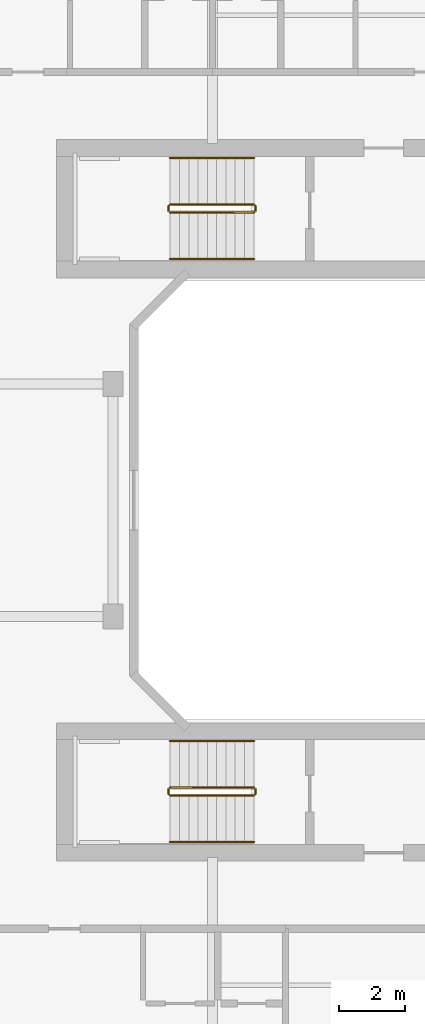
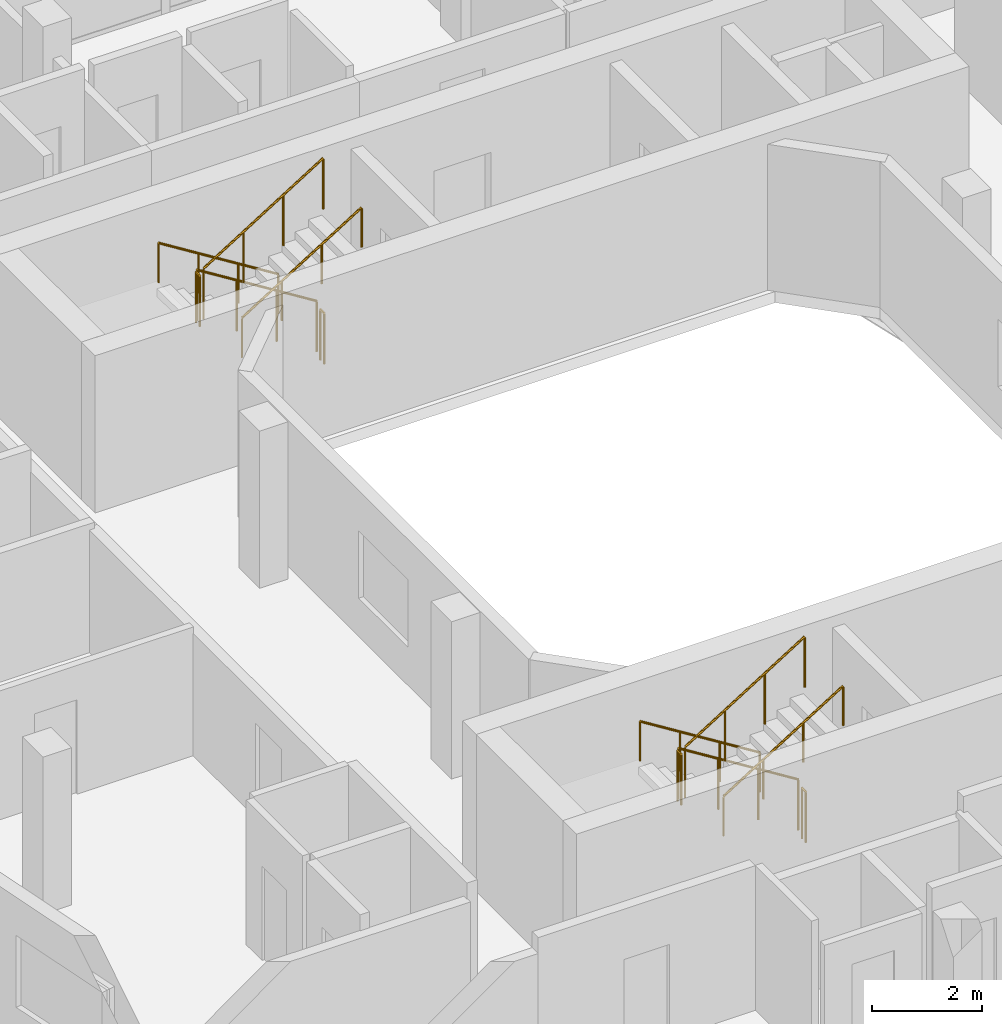
# One storey, part 27 of 27: 12 railings.
"""IFC4 building model written with IfcOpenShell, lengths in metres."""

from ifc_helpers import new_model, si_unit, derived_unit, direction, frame, origin, origin_2d, place, context, subcontext, project, spatial, circle, extrude, material, type_object, element, save


model = new_model("IFC4")

# Units and contexts
model_context = context("Model", 3, precision=1e-05, world=origin(), true_north=direction((0.0, 1.0)))
body_context = subcontext(model_context, "Body", "Model", "MODEL_VIEW")
ifc_project = project(units=[si_unit("LENGTHUNIT", "METRE"), si_unit("AREAUNIT", "SQUARE_METRE"), si_unit("VOLUMEUNIT", "CUBIC_METRE"), si_unit("PLANEANGLEUNIT", "RADIAN"), si_unit("MASSUNIT", "GRAM", prefix="KILO"), derived_unit("THERMALTRANSMITTANCEUNIT", [(si_unit("POWERUNIT", "WATT"), 1), (si_unit("LENGTHUNIT", "METRE"), -2), (si_unit("THERMODYNAMICTEMPERATUREUNIT", "KELVIN"), -1)])], contexts=[model_context])

# Site, building, storey
site_placement = place(None, origin())
site = spatial("IfcSite", under=ifc_project, at=site_placement, CompositionType="ELEMENT")
building_placement = place(site_placement, origin())
building = spatial("IfcBuilding", under=site, at=building_placement, Name="Kivonza Crest Hotel", CompositionType="ELEMENT")
storey_placement = place(building_placement, frame((0.0, 0.0, 73.0)))
storey = spatial("IfcBuildingStorey", under=building, at=storey_placement, Name="L19", CompositionType="ELEMENT", Elevation=73.0)

# Railings
ifc_material_1 = material(Name="Brushed stainless steel handrail", Category="steel")
railing_type_1 = type_object("IfcRailingType", Name="RL-HAND-900", PredefinedType="HANDRAIL", material=ifc_material_1)
railing_1_placement = place(storey_placement, frame((73.840087890625, 35.31005859375, 0.175048828125)))
element("IfcRailing", 1, at=railing_1_placement, inside=storey, type_object=railing_type_1, Name="L19 ST-T2-N stair handrail 1", PredefinedType="HANDRAIL", context=body_context, shape_type="SweptSolid", body=[
    extrude(circle(Radius=0.02392578125, at=origin_2d()), frame((0.0, 0.0, 0.8759765625), z_axis=(-0.848007534815, 0.0, 0.529984170421), x_axis=(0.0, -1.0, 0.0)), (0.0, 0.0, 1.0), 2.9716796875),
    extrude(circle(Radius=0.02099609375, at=origin_2d()), origin(), (0.0, 0.0, 1.0), 0.851806640625),
    extrude(circle(Radius=0.02099609375, at=origin_2d()), frame((-0.840087890625, 0.0, 0.52490234375)), (0.0, 0.0, 1.0), 0.851806640625),
    extrude(circle(Radius=0.02099609375, at=origin_2d()), frame((-1.679931640625, 0.0, 1.050048828125)), (0.0, 0.0, 1.0), 0.851806640625),
    extrude(circle(Radius=0.02099609375, at=origin_2d()), frame((-2.52001953125, 0.0, 1.574951171875)), (0.0, 0.0, 1.0), 0.851806640625),
])
railing_2_placement = place(storey_placement, frame((71.320068359375, 32.27001953125, 1.925048828125)))
element("IfcRailing", 2, at=railing_2_placement, inside=storey, type_object=railing_type_1, Name="L19 ST-T2-N stair handrail 2", PredefinedType="HANDRAIL", context=body_context, shape_type="SweptSolid", body=[
    extrude(circle(Radius=0.02392578125, at=origin_2d()), frame((0.0, 0.0, 0.8759765625), z_axis=(0.848007534815, 0.0, 0.529984170421), x_axis=(0.0, 1.0, 0.0)), (0.0, 0.0, 1.0), 2.9716796875),
    extrude(circle(Radius=0.02099609375, at=origin_2d()), origin(), (0.0, 0.0, 1.0), 0.851806640625),
    extrude(circle(Radius=0.02099609375, at=origin_2d()), frame((0.840087890625, 0.0, 0.52490234375)), (0.0, 0.0, 1.0), 0.851806640625),
    extrude(circle(Radius=0.02099609375, at=origin_2d()), frame((1.679931640625, 0.0, 1.050048828125)), (0.0, 0.0, 1.0), 0.851806640625),
    extrude(circle(Radius=0.02099609375, at=origin_2d()), frame((2.52001953125, 0.0, 1.574951171875)), (0.0, 0.0, 1.0), 0.851806640625),
])
railing_3_placement = place(storey_placement, frame((73.840087890625, 17.75, 0.175048828125)))
element("IfcRailing", 3, at=railing_3_placement, inside=storey, type_object=railing_type_1, Name="L19 ST-T2-S stair handrail 1", PredefinedType="HANDRAIL", context=body_context, shape_type="SweptSolid", body=[
    extrude(circle(Radius=0.02392578125, at=origin_2d()), frame((0.0, 0.0, 0.8759765625), z_axis=(-0.848007534815, 0.0, 0.529984170421), x_axis=(0.0, -1.0, 0.0)), (0.0, 0.0, 1.0), 2.9716796875),
    extrude(circle(Radius=0.02099609375, at=origin_2d()), origin(), (0.0, 0.0, 1.0), 0.851806640625),
    extrude(circle(Radius=0.02099609375, at=origin_2d()), frame((-0.840087890625, 0.0, 0.52490234375)), (0.0, 0.0, 1.0), 0.851806640625),
    extrude(circle(Radius=0.02099609375, at=origin_2d()), frame((-1.679931640625, 0.0, 1.050048828125)), (0.0, 0.0, 1.0), 0.851806640625),
    extrude(circle(Radius=0.02099609375, at=origin_2d()), frame((-2.52001953125, 0.0, 1.574951171875)), (0.0, 0.0, 1.0), 0.851806640625),
])
railing_4_placement = place(storey_placement, frame((71.320068359375, 14.7099609375, 1.925048828125)))
element("IfcRailing", 4, at=railing_4_placement, inside=storey, type_object=railing_type_1, Name="L19 ST-T2-S stair handrail 2", PredefinedType="HANDRAIL", context=body_context, shape_type="SweptSolid", body=[
    extrude(circle(Radius=0.02392578125, at=origin_2d()), frame((0.0, 0.0, 0.8759765625), z_axis=(0.848007534815, 0.0, 0.529984170421), x_axis=(0.0, 1.0, 0.0)), (0.0, 0.0, 1.0), 2.9716796875),
    extrude(circle(Radius=0.02099609375, at=origin_2d()), origin(), (0.0, 0.0, 1.0), 0.851806640625),
    extrude(circle(Radius=0.02099609375, at=origin_2d()), frame((0.840087890625, 0.0, 0.52490234375)), (0.0, 0.0, 1.0), 0.851806640625),
    extrude(circle(Radius=0.02099609375, at=origin_2d()), frame((1.679931640625, 0.0, 1.050048828125)), (0.0, 0.0, 1.0), 0.851806640625),
    extrude(circle(Radius=0.02099609375, at=origin_2d()), frame((2.52001953125, 0.0, 1.574951171875)), (0.0, 0.0, 1.0), 0.851806640625),
])
ifc_material_2 = material(Name="Painted steel balustrade", Category="steel")
railing_type_2 = type_object("IfcRailingType", Name="RL-STAIR-1150", PredefinedType="BALUSTRADE", material=ifc_material_2)
railing_5_placement = place(storey_placement, frame((73.840087890625, 33.909912109375, 0.175048828125)))
element("IfcRailing", 5, at=railing_5_placement, inside=storey, type_object=railing_type_2, Name="L19 ST-T2-N stair guard 1", PredefinedType="BALUSTRADE", context=body_context, shape_type="SweptSolid", body=[
    extrude(circle(Radius=0.02392578125, at=origin_2d()), frame((0.0, 0.0, 1.1259765625), z_axis=(-0.848007534815, 0.0, 0.529984170421), x_axis=(0.0, -1.0, 0.0)), (0.0, 0.0, 1.0), 2.9716796875),
    extrude(circle(Radius=0.02099609375, at=origin_2d()), origin(), (0.0, 0.0, 1.0), 1.101806640625),
    extrude(circle(Radius=0.02099609375, at=origin_2d()), frame((-0.840087890625, 0.0, 0.52490234375)), (0.0, 0.0, 1.0), 1.101806640625),
    extrude(circle(Radius=0.02099609375, at=origin_2d()), frame((-1.679931640625, 0.0, 1.050048828125)), (0.0, 0.0, 1.0), 1.101806640625),
    extrude(circle(Radius=0.02099609375, at=origin_2d()), frame((-2.52001953125, 0.0, 1.574951171875)), (0.0, 0.0, 1.0), 1.101806640625),
])
railing_6_placement = place(storey_placement, frame((71.27001953125, 33.860107421875, 1.75)))
element("IfcRailing", 6, at=railing_6_placement, inside=storey, type_object=railing_type_2, Name="L19 ST-T2-N stair guard 2", PredefinedType="BALUSTRADE", context=body_context, shape_type="SweptSolid", body=[
    extrude(circle(Radius=0.02392578125, at=origin_2d()), frame((0.0, 0.0, 1.1259765625), z_axis=(0.0, -1.0, 0.0), x_axis=(1.0, 0.0, 0.0)), (0.0, 0.0, 1.0), 0.14013671875),
    extrude(circle(Radius=0.02099609375, at=origin_2d()), origin(), (0.0, 0.0, 1.0), 1.101806640625),
    extrude(circle(Radius=0.02099609375, at=origin_2d()), frame((0.0, -0.14013671875, 0.0)), (0.0, 0.0, 1.0), 1.101806640625),
])
railing_7_placement = place(storey_placement, frame((71.320068359375, 33.669921875, 1.925048828125)))
element("IfcRailing", 7, at=railing_7_placement, inside=storey, type_object=railing_type_2, Name="L19 ST-T2-N stair guard 3", PredefinedType="BALUSTRADE", context=body_context, shape_type="SweptSolid", body=[
    extrude(circle(Radius=0.02392578125, at=origin_2d()), frame((0.0, 0.0, 1.1259765625), z_axis=(0.848007534815, 0.0, 0.529984170421), x_axis=(0.0, 1.0, 0.0)), (0.0, 0.0, 1.0), 2.9716796875),
    extrude(circle(Radius=0.02099609375, at=origin_2d()), origin(), (0.0, 0.0, 1.0), 1.101806640625),
    extrude(circle(Radius=0.02099609375, at=origin_2d()), frame((0.840087890625, 0.0, 0.52490234375)), (0.0, 0.0, 1.0), 1.101806640625),
    extrude(circle(Radius=0.02099609375, at=origin_2d()), frame((1.679931640625, 0.0, 1.050048828125)), (0.0, 0.0, 1.0), 1.101806640625),
    extrude(circle(Radius=0.02099609375, at=origin_2d()), frame((2.52001953125, 0.0, 1.574951171875)), (0.0, 0.0, 1.0), 1.101806640625),
])
railing_8_placement = place(storey_placement, frame((73.889892578125, 33.860107421875, 0.0)))
element("IfcRailing", 8, at=railing_8_placement, inside=storey, type_object=railing_type_2, Name="L19 ST-T2-N stair guard 4", PredefinedType="BALUSTRADE", context=body_context, shape_type="SweptSolid", body=[
    extrude(circle(Radius=0.02392578125, at=origin_2d()), frame((0.0, 0.0, 1.1259765625), z_axis=(0.0, -1.0, 0.0), x_axis=(1.0, 0.0, 0.0)), (0.0, 0.0, 1.0), 0.14013671875),
    extrude(circle(Radius=0.02099609375, at=origin_2d()), origin(), (0.0, 0.0, 1.0), 1.101806640625),
    extrude(circle(Radius=0.02099609375, at=origin_2d()), frame((0.0, -0.14013671875, 0.0)), (0.0, 0.0, 1.0), 1.101806640625),
])
railing_9_placement = place(storey_placement, frame((73.840087890625, 16.35009765625, 0.175048828125)))
element("IfcRailing", 9, at=railing_9_placement, inside=storey, type_object=railing_type_2, Name="L19 ST-T2-S stair guard 1", PredefinedType="BALUSTRADE", context=body_context, shape_type="SweptSolid", body=[
    extrude(circle(Radius=0.02392578125, at=origin_2d()), frame((0.0, 0.0, 1.1259765625), z_axis=(-0.848007534815, 0.0, 0.529984170421), x_axis=(0.0, -1.0, 0.0)), (0.0, 0.0, 1.0), 2.9716796875),
    extrude(circle(Radius=0.02099609375, at=origin_2d()), origin(), (0.0, 0.0, 1.0), 1.101806640625),
    extrude(circle(Radius=0.02099609375, at=origin_2d()), frame((-0.840087890625, 0.0, 0.52490234375)), (0.0, 0.0, 1.0), 1.101806640625),
    extrude(circle(Radius=0.02099609375, at=origin_2d()), frame((-1.679931640625, 0.0, 1.050048828125)), (0.0, 0.0, 1.0), 1.101806640625),
    extrude(circle(Radius=0.02099609375, at=origin_2d()), frame((-2.52001953125, 0.0, 1.574951171875)), (0.0, 0.0, 1.0), 1.101806640625),
])
railing_10_placement = place(storey_placement, frame((71.27001953125, 16.300048828125, 1.75)))
element("IfcRailing", 10, at=railing_10_placement, inside=storey, type_object=railing_type_2, Name="L19 ST-T2-S stair guard 2", PredefinedType="BALUSTRADE", context=body_context, shape_type="SweptSolid", body=[
    extrude(circle(Radius=0.02392578125, at=origin_2d()), frame((0.0, 0.0, 1.1259765625), z_axis=(0.0, -1.0, 0.0), x_axis=(1.0, 0.0, 0.0)), (0.0, 0.0, 1.0), 0.14013671875),
    extrude(circle(Radius=0.02099609375, at=origin_2d()), origin(), (0.0, 0.0, 1.0), 1.101806640625),
    extrude(circle(Radius=0.02099609375, at=origin_2d()), frame((0.0, -0.14013671875, 0.0)), (0.0, 0.0, 1.0), 1.101806640625),
])
railing_11_placement = place(storey_placement, frame((71.320068359375, 16.110107421875, 1.925048828125)))
element("IfcRailing", 11, at=railing_11_placement, inside=storey, type_object=railing_type_2, Name="L19 ST-T2-S stair guard 3", PredefinedType="BALUSTRADE", context=body_context, shape_type="SweptSolid", body=[
    extrude(circle(Radius=0.02392578125, at=origin_2d()), frame((0.0, 0.0, 1.1259765625), z_axis=(0.848007534815, 0.0, 0.529984170421), x_axis=(0.0, 1.0, 0.0)), (0.0, 0.0, 1.0), 2.9716796875),
    extrude(circle(Radius=0.02099609375, at=origin_2d()), origin(), (0.0, 0.0, 1.0), 1.101806640625),
    extrude(circle(Radius=0.02099609375, at=origin_2d()), frame((0.840087890625, 0.0, 0.52490234375)), (0.0, 0.0, 1.0), 1.101806640625),
    extrude(circle(Radius=0.02099609375, at=origin_2d()), frame((1.679931640625, 0.0, 1.050048828125)), (0.0, 0.0, 1.0), 1.101806640625),
    extrude(circle(Radius=0.02099609375, at=origin_2d()), frame((2.52001953125, 0.0, 1.574951171875)), (0.0, 0.0, 1.0), 1.101806640625),
])
railing_12_placement = place(storey_placement, frame((73.889892578125, 16.300048828125, 0.0)))
element("IfcRailing", 12, at=railing_12_placement, inside=storey, type_object=railing_type_2, Name="L19 ST-T2-S stair guard 4", PredefinedType="BALUSTRADE", context=body_context, shape_type="SweptSolid", body=[
    extrude(circle(Radius=0.02392578125, at=origin_2d()), frame((0.0, 0.0, 1.1259765625), z_axis=(0.0, -1.0, 0.0), x_axis=(1.0, 0.0, 0.0)), (0.0, 0.0, 1.0), 0.14013671875),
    extrude(circle(Radius=0.02099609375, at=origin_2d()), origin(), (0.0, 0.0, 1.0), 1.101806640625),
    extrude(circle(Radius=0.02099609375, at=origin_2d()), frame((0.0, -0.14013671875, 0.0)), (0.0, 0.0, 1.0), 1.101806640625),
])

save(model, "model.ifc")
